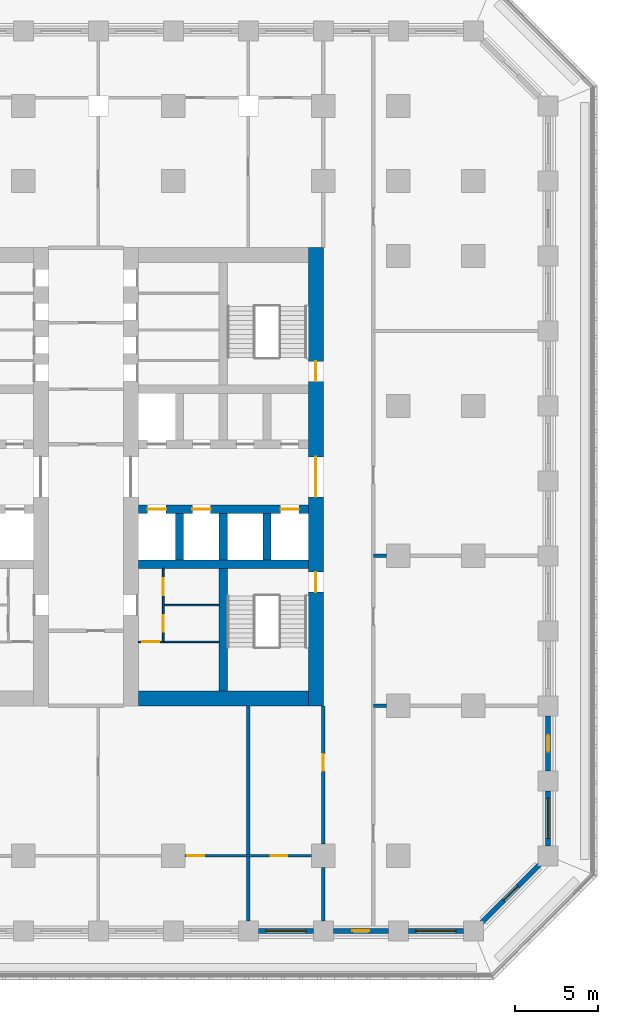
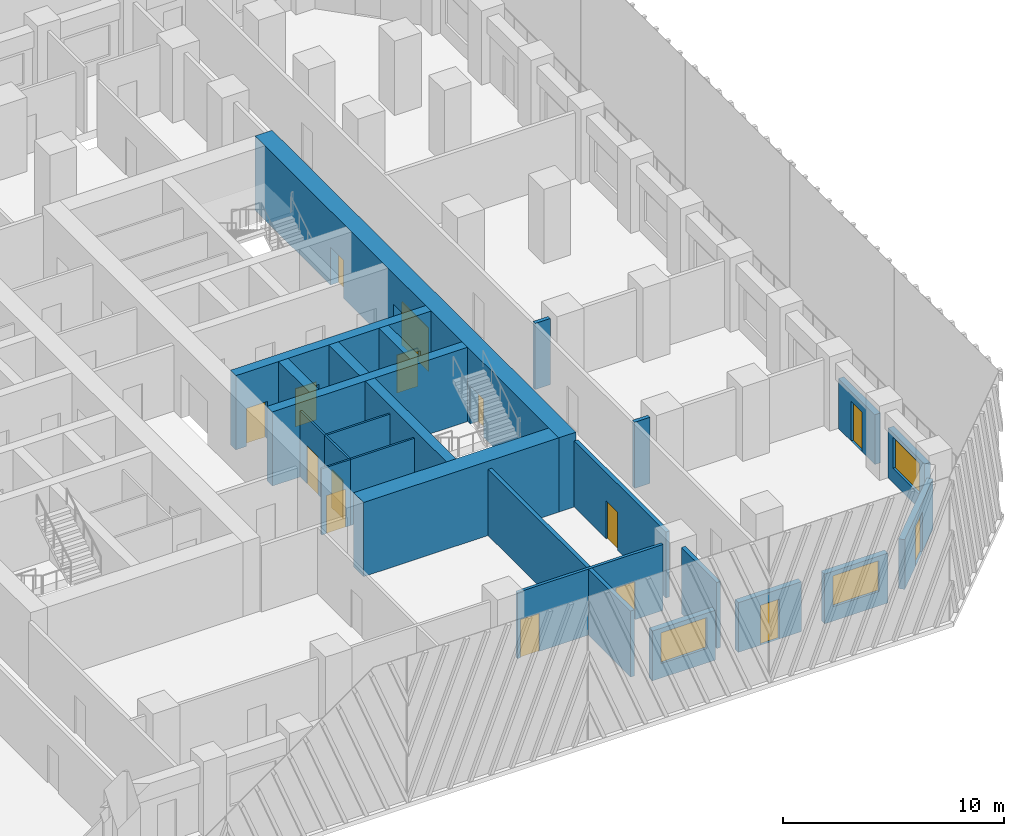
# One storey, part 5 of 19: 25 walls, 15 doors, 3 windows, 18 openings.
"""IFC4 building model written with IfcOpenShell, lengths in metres."""

from ifc_helpers import new_model, si_unit, direction, frame, frame_2d, origin, place, context, subcontext, project, spatial, rectangle, extrude, material, layer, layer_set, type_object, element, fill, save


model = new_model("IFC4")

# Units and contexts
model_context = context("Model", 3, precision=1e-05, world=origin(), true_north=direction((0.0, 1.0)))
body_context = subcontext(model_context, "Body", "Model", "MODEL_VIEW")
ifc_project = project(units=[si_unit("LENGTHUNIT", "METRE"), si_unit("AREAUNIT", "SQUARE_METRE"), si_unit("VOLUMEUNIT", "CUBIC_METRE"), si_unit("PLANEANGLEUNIT", "RADIAN"), si_unit("MASSUNIT", "GRAM", prefix="KILO")], contexts=[model_context])

# Site, building, storey
site_placement = place(None, origin())
site = spatial("IfcSite", under=ifc_project, at=site_placement, CompositionType="ELEMENT")
building_placement = place(site_placement, origin())
building = spatial("IfcBuilding", under=site, at=building_placement, Name="Corbel Stack Research Tower", CompositionType="ELEMENT")
storey_placement = place(building_placement, frame((0.0, 0.0, 82.0)))
storey = spatial("IfcBuildingStorey", under=building, at=storey_placement, Name="L18", CompositionType="ELEMENT", Elevation=82.0)

# Wall
ifc_material_1 = material(Name="Concrete C70/85", Category="concrete")
ifc_layer_1 = layer(ifc_material_1, 0.5)
ifc_layer_set_1 = layer_set([ifc_layer_1], Name="Concrete C70/85")
wall_type_1 = type_object("IfcWallType", Name="CW-500-70", PredefinedType="SHEAR", material=ifc_layer_set_1)
wall_1_placement = place(storey_placement, frame((6.89990234375, -0.5, 0.0), z_axis=(0.0, 0.0, 1.0), x_axis=(1.0, 0.0, 0.0)))
element("IfcWall", 1, at=wall_1_placement, inside=storey, type_object=wall_type_1, Name="East core wall, south row back L18", PredefinedType="SHEAR", context=body_context, shape_type="SweptSolid", body=[
    extrude(rectangle(XDim=10.2001953125, YDim=0.5, at=frame_2d((5.10009765625, 0.0))), origin(), (0.0, 0.0, 1.0), 4.10009765625),
])

# Wall, openings, doors
wall_2_placement = place(storey_placement, frame((6.89990234375, 2.800048828125, 0.0), z_axis=(0.0, 0.0, 1.0), x_axis=(1.0, 0.0, 0.0)))
wall_2 = element("IfcWall", 2, at=wall_2_placement, inside=storey, type_object=wall_type_1, Name="East core wall, lobby south L18", PredefinedType="SHEAR", context=body_context, shape_type="SweptSolid", body=[
    extrude(rectangle(XDim=10.2001953125, YDim=0.5, at=frame_2d((5.10009765625, 0.0))), origin(), (0.0, 0.0, 1.0), 4.10009765625),
])
opening_1_placement = place(wall_2_placement, frame((0.5625, 0.0, 0.0)))
opening_1 = element("IfcOpeningElement", 3, at=opening_1_placement, cuts=wall_2, Name="Opening LD-FS2", PredefinedType="OPENING", context=body_context, shape_type="SweptSolid", body=[
    extrude(rectangle(XDim=1.10009765625, YDim=2.10009765625, at=frame_2d((0.550048828125, 1.050048828125))), frame((0.0, 0.260009765625, 0.0), z_axis=(0.0, -1.0, 0.0), x_axis=(1.0, 0.0, 0.0)), (0.0, 0.0, 1.0), 0.52001953125),
])
opening_2_placement = place(wall_2_placement, frame((3.237548828125, 0.0, 0.0)))
opening_2 = element("IfcOpeningElement", 4, at=opening_2_placement, cuts=wall_2, Name="Opening LD-GL2", PredefinedType="OPENING", context=body_context, shape_type="SweptSolid", body=[
    extrude(rectangle(XDim=1.10009765625, YDim=2.10009765625, at=frame_2d((0.550048828125, 1.050048828125))), frame((0.0, 0.260009765625, 0.0), z_axis=(0.0, -1.0, 0.0), x_axis=(1.0, 0.0, 0.0)), (0.0, 0.0, 1.0), 0.52001953125),
])
opening_3_placement = place(wall_2_placement, frame((8.53759765625, 0.0, 0.0)))
opening_3 = element("IfcOpeningElement", 5, at=opening_3_placement, cuts=wall_2, Name="Opening LD-LR3", PredefinedType="OPENING", context=body_context, shape_type="SweptSolid", body=[
    extrude(rectangle(XDim=1.10009765625, YDim=2.10009765625, at=frame_2d((0.550048828125, 1.050048828125))), frame((0.0, 0.260009765625, 0.0), z_axis=(0.0, -1.0, 0.0), x_axis=(1.0, 0.0, 0.0)), (0.0, 0.0, 1.0), 0.52001953125),
])
ifc_material_2 = material(Name="Stainless steel landing door", Category="steel")
door_type_1 = type_object("IfcDoorType", Name="Lift landing door 1100 x 2100", OperationType="DOUBLE_DOOR_SLIDING", PredefinedType="DOOR", material=ifc_material_2)
door_1_placement = place(opening_1_placement, origin())
door_1 = element("IfcDoor", 6, at=door_1_placement, inside=storey, type_object=door_type_1, Name="Landing door FS2", OperationType="DOUBLE_DOOR_SLIDING", OverallHeight=2.10009765625, OverallWidth=1.10009765625, PredefinedType="DOOR", context=body_context, shape_type="SweptSolid", body=[
    extrude(rectangle(XDim=1.10009765625, YDim=2.10009765625, at=frame_2d((0.550048828125, 1.050048828125))), frame((0.0, 0.02490234375, 0.0), z_axis=(0.0, -1.0, 0.0), x_axis=(1.0, 0.0, 0.0)), (0.0, 0.0, 1.0), 0.050048828125),
])
fill(opening_1, door_1)
door_2_placement = place(opening_2_placement, origin())
door_2 = element("IfcDoor", 7, at=door_2_placement, inside=storey, type_object=door_type_1, Name="Landing door GL2", OperationType="DOUBLE_DOOR_SLIDING", OverallHeight=2.10009765625, OverallWidth=1.10009765625, PredefinedType="DOOR", context=body_context, shape_type="SweptSolid", body=[
    extrude(rectangle(XDim=1.10009765625, YDim=2.10009765625, at=frame_2d((0.550048828125, 1.050048828125))), frame((0.0, 0.02490234375, 0.0), z_axis=(0.0, -1.0, 0.0), x_axis=(1.0, 0.0, 0.0)), (0.0, 0.0, 1.0), 0.050048828125),
])
fill(opening_2, door_2)
door_3_placement = place(opening_3_placement, origin())
door_3 = element("IfcDoor", 8, at=door_3_placement, inside=storey, type_object=door_type_1, Name="Landing door LR3", OperationType="DOUBLE_DOOR_SLIDING", OverallHeight=2.10009765625, OverallWidth=1.10009765625, PredefinedType="DOOR", context=body_context, shape_type="SweptSolid", body=[
    extrude(rectangle(XDim=1.10009765625, YDim=2.10009765625, at=frame_2d((0.550048828125, 1.050048828125))), frame((0.0, 0.02490234375, 0.0), z_axis=(0.0, -1.0, 0.0), x_axis=(1.0, 0.0, 0.0)), (0.0, 0.0, 1.0), 0.050048828125),
])
fill(opening_3, door_3)

# Walls
for number, where, z_axis, x_axis, name in (
    (9, (9.375, -0.25, 0.0), (0.0, 0.0, 1.0), (0.0, 1.0, 0.0), "East core wall, south shaft 1 L18"),
    (10, (12.0, -0.25, 0.0), (0.0, 0.0, 1.0), (0.0, 1.0, 0.0), "East core wall, south shaft 2 L18"),
    (11, (14.625, -0.25, 0.0), (0.0, 0.0, 1.0), (0.0, 1.0, 0.0), "East core wall, south shaft 3 L18"),
):
    element("IfcWall", number, at=place(storey_placement, frame(where, z_axis=z_axis, x_axis=x_axis)), inside=storey, type_object=wall_type_1, Name=name, PredefinedType="SHEAR", context=body_context, shape_type="SweptSolid", body=[
        extrude(rectangle(XDim=2.800048828125, YDim=0.5, at=frame_2d((1.39990234375, 0.0))), origin(), (0.0, 0.0, 1.0), 4.10009765625),
    ])
wall_3_placement = place(storey_placement, frame((12.0, -8.10009765625, 0.0), z_axis=(0.0, 0.0, 1.0), x_axis=(0.0, 1.0, 0.0)))
element("IfcWall", 12, at=wall_3_placement, inside=storey, type_object=wall_type_1, Name="East core wall, south stair and WC L18", PredefinedType="SHEAR", context=body_context, shape_type="SweptSolid", body=[
    extrude(rectangle(XDim=7.35009765625, YDim=0.5, at=frame_2d((3.675048828125, 0.0))), origin(), (0.0, 0.0, 1.0), 4.10009765625),
])

# Wall, openings, doors
ifc_material_3 = material(Name="Concrete C70/85", Category="concrete")
ifc_layer_2 = layer(ifc_material_3, 0.89990234375)
ifc_layer_set_2 = layer_set([ifc_layer_2], Name="Concrete C70/85")
wall_type_2 = type_object("IfcWallType", Name="CW-900-70", PredefinedType="SHEAR", material=ifc_layer_set_2)
wall_4_placement = place(storey_placement, frame((17.550048828125, -9.0, 0.0), z_axis=(0.0, 0.0, 1.0), x_axis=(0.0, 1.0, 0.0)))
wall_4 = element("IfcWall", 13, at=wall_4_placement, inside=storey, type_object=wall_type_2, Name="East core wall, east face L18", PredefinedType="SHEAR", context=body_context, shape_type="SweptSolid", body=[
    extrude(rectangle(XDim=27.5, YDim=0.89990234375, at=frame_2d((13.75, 0.0))), origin(), (0.0, 0.0, 1.0), 4.10009765625),
])
opening_4_placement = place(wall_4_placement, frame((12.550048828125, 0.0, 0.0)))
opening_4 = element("IfcOpeningElement", 14, at=opening_4_placement, cuts=wall_4, Name="Opening CD-E-E", PredefinedType="OPENING", context=body_context, shape_type="SweptSolid", body=[
    extrude(rectangle(XDim=2.39990234375, YDim=2.39990234375, at=frame_2d((1.199951171875, 1.199951171875))), frame((0.0, 0.4599609375, 0.0), z_axis=(0.0, -1.0, 0.0), x_axis=(1.0, 0.0, 0.0)), (0.0, 0.0, 1.0), 0.919921875),
])
opening_5_placement = place(wall_4_placement, frame((6.824951171875, 0.0, 0.0)))
opening_5 = element("IfcOpeningElement", 15, at=opening_5_placement, cuts=wall_4, Name="Opening SD-ST-E1", PredefinedType="OPENING", context=body_context, shape_type="SweptSolid", body=[
    extrude(rectangle(XDim=1.199951171875, YDim=2.10009765625, at=frame_2d((0.60009765625, 1.050048828125))), frame((0.0, 0.4599609375, 0.0), z_axis=(0.0, -1.0, 0.0), x_axis=(1.0, 0.0, 0.0)), (0.0, 0.0, 1.0), 0.919921875),
])
opening_6_placement = place(wall_4_placement, frame((19.47509765625, 0.0, 0.0)))
opening_6 = element("IfcOpeningElement", 16, at=opening_6_placement, cuts=wall_4, Name="Opening SD-ST-E2", PredefinedType="OPENING", context=body_context, shape_type="SweptSolid", body=[
    extrude(rectangle(XDim=1.199951171875, YDim=2.10009765625, at=frame_2d((0.60009765625, 1.050048828125))), frame((0.0, 0.4599609375, 0.0), z_axis=(0.0, -1.0, 0.0), x_axis=(1.0, 0.0, 0.0)), (0.0, 0.0, 1.0), 0.919921875),
])
ifc_material_4 = material(Name="Painted steel fire door", Category="steel")
door_type_2 = type_object("IfcDoorType", Name="Lobby door pair 2400 x 2400 FD30S", OperationType="DOUBLE_DOOR_DOUBLE_SWING", PredefinedType="DOOR", material=ifc_material_4)
door_4_placement = place(opening_4_placement, origin())
door_4 = element("IfcDoor", 17, at=door_4_placement, inside=storey, type_object=door_type_2, Name="Lift lobby door E core E", OperationType="DOUBLE_DOOR_DOUBLE_SWING", OverallHeight=2.39990234375, OverallWidth=2.39990234375, PredefinedType="DOOR", context=body_context, shape_type="SweptSolid", body=[
    extrude(rectangle(XDim=2.39990234375, YDim=2.39990234375, at=frame_2d((1.199951171875, 1.199951171875))), frame((0.0, 0.02490234375, 0.0), z_axis=(0.0, -1.0, 0.0), x_axis=(1.0, 0.0, 0.0)), (0.0, 0.0, 1.0), 0.050048828125),
])
fill(opening_4, door_4)
ifc_material_5 = material(Name="Painted steel fire door", Category="steel")
door_type_3 = type_object("IfcDoorType", Name="Stair door 1200 x 2100 FD90 right hand", OperationType="SINGLE_SWING_RIGHT", PredefinedType="DOOR", material=ifc_material_5)
door_5_placement = place(opening_5_placement, frame((1.199951171875, 0.0, 0.0), z_axis=(0.0, 0.0, 1.0), x_axis=(-1.0, 0.0, 0.0)))
door_5 = element("IfcDoor", 18, at=door_5_placement, inside=storey, type_object=door_type_3, Name="Stair door ST-E1", OperationType="SINGLE_SWING_LEFT", OverallHeight=2.10009765625, OverallWidth=1.199951171875, PredefinedType="DOOR", context=body_context, shape_type="SweptSolid", body=[
    extrude(rectangle(XDim=1.199951171875, YDim=2.10009765625, at=frame_2d((0.60009765625, 1.050048828125))), frame((0.0, 0.02490234375, 0.0), z_axis=(0.0, -1.0, 0.0), x_axis=(1.0, 0.0, 0.0)), (0.0, 0.0, 1.0), 0.050048828125),
])
fill(opening_5, door_5)
door_6_placement = place(opening_6_placement, frame((1.199951171875, 0.0, 0.0), z_axis=(0.0, 0.0, 1.0), x_axis=(-1.0, 0.0, 0.0)))
door_6 = element("IfcDoor", 19, at=door_6_placement, inside=storey, type_object=door_type_3, Name="Stair door ST-E2", OperationType="SINGLE_SWING_LEFT", OverallHeight=2.10009765625, OverallWidth=1.199951171875, PredefinedType="DOOR", context=body_context, shape_type="SweptSolid", body=[
    extrude(rectangle(XDim=1.199951171875, YDim=2.10009765625, at=frame_2d((0.60009765625, 1.050048828125))), frame((0.0, 0.02490234375, 0.0), z_axis=(0.0, -1.0, 0.0), x_axis=(1.0, 0.0, 0.0)), (0.0, 0.0, 1.0), 0.050048828125),
])
fill(opening_6, door_6)

# Wall
wall_5_placement = place(storey_placement, frame((6.89990234375, -8.550048828125, 0.0), z_axis=(0.0, 0.0, 1.0), x_axis=(1.0, 0.0, 0.0)))
element("IfcWall", 20, at=wall_5_placement, inside=storey, type_object=wall_type_2, Name="East core wall, south end L18", PredefinedType="SHEAR", context=body_context, shape_type="SweptSolid", body=[
    extrude(rectangle(XDim=10.2001953125, YDim=0.89990234375, at=frame_2d((5.10009765625, 0.0))), origin(), (0.0, 0.0, 1.0), 4.10009765625),
])

# Wall, opening, door
ifc_material_6 = material(Name="Gypsum board")
ifc_layer_3 = layer(ifc_material_6, 0.10009765625)
ifc_layer_set_3 = layer_set([ifc_layer_3], Name="Gypsum board")
wall_type_3 = type_object("IfcWallType", Name="Core partition 100", PredefinedType="PARTITIONING", material=ifc_layer_set_3)
wall_6_placement = place(storey_placement, frame((6.89990234375, -5.159912109375, 0.0), z_axis=(0.0, 0.0, 1.0), x_axis=(1.0, 0.0, 0.0)))
wall_6 = element("IfcWall", 21, at=wall_6_placement, inside=storey, type_object=wall_type_3, Name="Core partition E", PredefinedType="PARTITIONING", context=body_context, shape_type="SweptSolid", body=[
    extrude(rectangle(XDim=1.5, YDim=0.10009765625, at=frame_2d((0.75, 0.0))), origin(), (0.0, 0.0, 1.0), 3.64990234375),
])
opening_7_placement = place(wall_6_placement, frame((0.25, 0.0, 0.0)))
opening_7 = element("IfcOpeningElement", 22, at=opening_7_placement, cuts=wall_6, Name="Opening CR-E66-W2-1000", PredefinedType="OPENING", context=body_context, shape_type="SweptSolid", body=[
    extrude(rectangle(XDim=1.0, YDim=2.10009765625, at=frame_2d((0.5, 1.050048828125))), frame((0.0, 0.06005859375, 0.0), z_axis=(0.0, -1.0, 0.0), x_axis=(1.0, 0.0, 0.0)), (0.0, 0.0, 1.0), 0.1201171875),
])
ifc_material_7 = material(Name="Painted timber door", Category="wood")
door_type_4 = type_object("IfcDoorType", Name="WC door 1000 x 2100 left hand", OperationType="SINGLE_SWING_LEFT", PredefinedType="DOOR", material=ifc_material_7)
door_7_placement = place(opening_7_placement, origin())
door_7 = element("IfcDoor", 23, at=door_7_placement, inside=storey, type_object=door_type_4, Name="Accessible WC door E core", OperationType="SINGLE_SWING_LEFT", OverallHeight=2.10009765625, OverallWidth=1.0, PredefinedType="DOOR", context=body_context, shape_type="SweptSolid", body=[
    extrude(rectangle(XDim=1.0, YDim=2.10009765625, at=frame_2d((0.5, 1.050048828125))), frame((0.0, 0.02490234375, 0.0), z_axis=(0.0, -1.0, 0.0), x_axis=(1.0, 0.0, 0.0)), (0.0, 0.0, 1.0), 0.050048828125),
])
fill(opening_7, door_7)

wall_7_placement = place(storey_placement, frame((8.39990234375, -5.159912109375, 0.0), z_axis=(0.0, 0.0, 1.0), x_axis=(0.0, 1.0, 0.0)))
wall_7 = element("IfcWall", 24, at=wall_7_placement, inside=storey, type_object=wall_type_3, Name="Core partition E", PredefinedType="PARTITIONING", context=body_context, shape_type="SweptSolid", body=[
    extrude(rectangle(XDim=2.204833984375, YDim=0.10009765625, at=frame_2d((1.1025390625, 0.0))), origin(), (0.0, 0.0, 1.0), 3.64990234375),
])
opening_8_placement = place(wall_7_placement, frame((0.6025390625, 0.0, 0.0)))
opening_8 = element("IfcOpeningElement", 25, at=opening_8_placement, cuts=wall_7, Name="Opening CR-E66-W3-1000", PredefinedType="OPENING", context=body_context, shape_type="SweptSolid", body=[
    extrude(rectangle(XDim=1.0, YDim=2.10009765625, at=frame_2d((0.5, 1.050048828125))), frame((0.0, 0.06005859375, 0.0), z_axis=(0.0, -1.0, 0.0), x_axis=(1.0, 0.0, 0.0)), (0.0, 0.0, 1.0), 0.1201171875),
])
ifc_material_8 = material(Name="Painted timber door", Category="wood")
door_type_5 = type_object("IfcDoorType", Name="WC door 1000 x 2100 right hand", OperationType="SINGLE_SWING_RIGHT", PredefinedType="DOOR", material=ifc_material_8)
door_8_placement = place(opening_8_placement, origin())
door_8 = element("IfcDoor", 26, at=door_8_placement, inside=storey, type_object=door_type_5, Name="Men's WC door E core", OperationType="SINGLE_SWING_RIGHT", OverallHeight=2.10009765625, OverallWidth=1.0, PredefinedType="DOOR", context=body_context, shape_type="SweptSolid", body=[
    extrude(rectangle(XDim=1.0, YDim=2.10009765625, at=frame_2d((0.5, 1.050048828125))), frame((0.0, 0.02490234375, 0.0), z_axis=(0.0, -1.0, 0.0), x_axis=(1.0, 0.0, 0.0)), (0.0, 0.0, 1.0), 0.050048828125),
])
fill(opening_8, door_8)

wall_8_placement = place(storey_placement, frame((8.39990234375, -2.955078125, 0.0), z_axis=(0.0, 0.0, 1.0), x_axis=(0.0, 1.0, 0.0)))
wall_8 = element("IfcWall", 27, at=wall_8_placement, inside=storey, type_object=wall_type_3, Name="Core partition E", PredefinedType="PARTITIONING", context=body_context, shape_type="SweptSolid", body=[
    extrude(rectangle(XDim=2.205078125, YDim=0.10009765625, at=frame_2d((1.1025390625, 0.0))), origin(), (0.0, 0.0, 1.0), 3.64990234375),
])
opening_9_placement = place(wall_8_placement, frame((0.6025390625, 0.0, 0.0)))
opening_9 = element("IfcOpeningElement", 28, at=opening_9_placement, cuts=wall_8, Name="Opening CR-E66-W4-1000", PredefinedType="OPENING", context=body_context, shape_type="SweptSolid", body=[
    extrude(rectangle(XDim=1.0, YDim=2.10009765625, at=frame_2d((0.5, 1.050048828125))), frame((0.0, 0.06005859375, 0.0), z_axis=(0.0, -1.0, 0.0), x_axis=(1.0, 0.0, 0.0)), (0.0, 0.0, 1.0), 0.1201171875),
])
door_9_placement = place(opening_9_placement, origin())
door_9 = element("IfcDoor", 29, at=door_9_placement, inside=storey, type_object=door_type_4, Name="Women's WC door E core", OperationType="SINGLE_SWING_LEFT", OverallHeight=2.10009765625, OverallWidth=1.0, PredefinedType="DOOR", context=body_context, shape_type="SweptSolid", body=[
    extrude(rectangle(XDim=1.0, YDim=2.10009765625, at=frame_2d((0.5, 1.050048828125))), frame((0.0, 0.02490234375, 0.0), z_axis=(0.0, -1.0, 0.0), x_axis=(1.0, 0.0, 0.0)), (0.0, 0.0, 1.0), 0.050048828125),
])
fill(opening_9, door_9)

# Walls
for number, where, z_axis, x_axis, name in (
    (30, (8.39990234375, -5.159912109375, 0.0), (0.0, 0.0, 1.0), (1.0, 0.0, 0.0), "Core partition E"),
    (31, (8.39990234375, -2.955078125, 0.0), (0.0, 0.0, 1.0), (1.0, 0.0, 0.0), "Core partition E"),
):
    element("IfcWall", number, at=place(storey_placement, frame(where, z_axis=z_axis, x_axis=x_axis)), inside=storey, type_object=wall_type_3, Name=name, PredefinedType="PARTITIONING", context=body_context, shape_type="SweptSolid", body=[
        extrude(rectangle(XDim=3.35009765625, YDim=0.10009765625, at=frame_2d((1.675048828125, 0.0))), origin(), (0.0, 0.0, 1.0), 3.64990234375),
    ])
ifc_material_9 = material(Name="Fire-rated gypsum board partition on steel studs", Category="steel")
ifc_layer_4 = layer(ifc_material_9, 0.199951171875)
ifc_layer_set_4 = layer_set([ifc_layer_4], Name="Fire-rated gypsum board partition on steel studs")
wall_type_4 = type_object("IfcWallType", Name="Fire-rated partition 200 EI 60", PredefinedType="PARTITIONING", material=ifc_layer_set_4)
wall_9_placement = place(storey_placement, frame((13.5, -21.89990234375, 0.0), z_axis=(0.0, 0.0, 1.0), x_axis=(0.0, 1.0, 0.0)))
element("IfcWall", 32, at=wall_9_placement, inside=storey, type_object=wall_type_4, Name="Partition L18-010", PredefinedType="PARTITIONING", context=body_context, shape_type="SweptSolid", body=[
    extrude(rectangle(XDim=12.89990234375, YDim=0.199951171875, at=frame_2d((6.449951171875, 0.0))), origin(), (0.0, 0.0, 1.0), 3.64990234375),
])
wall_10_placement = place(storey_placement, frame((18.0, -21.89990234375, 0.0), z_axis=(0.0, 0.0, 1.0), x_axis=(0.0, 1.0, 0.0)))
element("IfcWall", 33, at=wall_10_placement, inside=storey, type_object=wall_type_4, Name="Partition L18-011", PredefinedType="PARTITIONING", context=body_context, shape_type="SweptSolid", body=[
    extrude(rectangle(XDim=3.199951171875, YDim=0.199951171875, at=frame_2d((1.60009765625, 0.0))), origin(), (0.0, 0.0, 1.0), 3.64990234375),
])

# Wall, opening, door
wall_11_placement = place(storey_placement, frame((18.0, -17.300048828125, 0.0), z_axis=(0.0, 0.0, 1.0), x_axis=(0.0, 1.0, 0.0)))
wall_11 = element("IfcWall", 34, at=wall_11_placement, inside=storey, type_object=wall_type_4, Name="Partition L18-012", PredefinedType="PARTITIONING", context=body_context, shape_type="SweptSolid", body=[
    extrude(rectangle(XDim=8.300048828125, YDim=0.199951171875, at=frame_2d((4.14990234375, 0.0))), origin(), (0.0, 0.0, 1.0), 3.64990234375),
])
opening_10_placement = place(wall_11_placement, frame((4.39990234375, 0.0, 0.0)))
opening_10 = element("IfcOpeningElement", 35, at=opening_10_placement, cuts=wall_11, Name="Opening B3V0H-017", PredefinedType="OPENING", context=body_context, shape_type="SweptSolid", body=[
    extrude(rectangle(XDim=1.0, YDim=2.10009765625, at=frame_2d((0.5, 1.050048828125))), frame((0.0, 0.10986328125, 0.0), z_axis=(0.0, -1.0, 0.0), x_axis=(1.0, 0.0, 0.0)), (0.0, 0.0, 1.0), 0.219970703125),
])
ifc_material_10 = material(Name="Painted steel fire door", Category="steel")
door_type_6 = type_object("IfcDoorType", Name="Fire door FD30S 1000 x 2100", OperationType="NOTDEFINED", PredefinedType="DOOR", material=ifc_material_10)
door_10_placement = place(opening_10_placement, origin())
door_10 = element("IfcDoor", 36, at=door_10_placement, inside=storey, type_object=door_type_6, Name="Door B3V0H-017", OperationType="SINGLE_SWING_RIGHT", OverallHeight=2.10009765625, OverallWidth=1.0, PredefinedType="DOOR", context=body_context, shape_type="SweptSolid", body=[
    extrude(rectangle(XDim=1.0, YDim=2.10009765625, at=frame_2d((0.5, 1.050048828125))), frame((0.0, 0.02490234375, 0.0), z_axis=(0.0, -1.0, 0.0), x_axis=(1.0, 0.0, 0.0)), (0.0, 0.0, 1.0), 0.050048828125),
])
fill(opening_10, door_10)

# Walls
for number, where, z_axis, x_axis, name in (
    (37, (21.0, -9.0, 0.0), (0.0, 0.0, 1.0), (1.0, 0.0, 0.0), "Partition L18-024"),
    (38, (21.0, 0.0, 0.0), (0.0, 0.0, 1.0), (1.0, 0.0, 0.0), "Partition L18-030"),
):
    element("IfcWall", number, at=place(storey_placement, frame(where, z_axis=z_axis, x_axis=x_axis)), inside=storey, type_object=wall_type_4, Name=name, PredefinedType="PARTITIONING", context=body_context, shape_type="SweptSolid", body=[
        extrude(rectangle(XDim=0.800048828125, YDim=0.199951171875, at=frame_2d((0.39990234375, 0.0))), origin(), (0.0, 0.0, 1.0), 3.64990234375),
    ])

# Wall, openings, doors
ifc_material_11 = material(Name="Gypsum board partition on steel studs", Category="steel")
ifc_layer_5 = layer(ifc_material_11, 0.14990234375)
ifc_layer_set_5 = layer_set([ifc_layer_5], Name="Gypsum board partition on steel studs")
wall_type_5 = type_object("IfcWallType", Name="Partition 150", PredefinedType="PARTITIONING", material=ifc_layer_set_5)
wall_12_placement = place(storey_placement, frame((17.300048828125, -18.0, 0.0), z_axis=(0.0, 0.0, 1.0), x_axis=(-1.0, 0.0, 0.0)))
wall_12 = element("IfcWall", 39, at=wall_12_placement, inside=storey, type_object=wall_type_5, Name="Partition L18-020", PredefinedType="PARTITIONING", context=body_context, shape_type="SweptSolid", body=[
    extrude(rectangle(XDim=7.60009765625, YDim=0.14990234375, at=frame_2d((3.800048828125, 0.0))), origin(), (0.0, 0.0, 1.0), 3.64990234375),
])
opening_11_placement = place(wall_12_placement, frame((6.449951171875, 0.0, 0.0)))
opening_11 = element("IfcOpeningElement", 40, at=opening_11_placement, cuts=wall_12, Name="Opening B3V0H-002", PredefinedType="OPENING", context=body_context, shape_type="SweptSolid", body=[
    extrude(rectangle(XDim=1.0, YDim=2.10009765625, at=frame_2d((0.5, 1.050048828125))), frame((0.0, 0.0849609375, 0.0), z_axis=(0.0, -1.0, 0.0), x_axis=(1.0, 0.0, 0.0)), (0.0, 0.0, 1.0), 0.169921875),
])
opening_12_placement = place(wall_12_placement, frame((1.449951171875, 0.0, 0.0)))
opening_12 = element("IfcOpeningElement", 41, at=opening_12_placement, cuts=wall_12, Name="Opening B3V0H-003", PredefinedType="OPENING", context=body_context, shape_type="SweptSolid", body=[
    extrude(rectangle(XDim=1.0, YDim=2.10009765625, at=frame_2d((0.5, 1.050048828125))), frame((0.0, 0.0849609375, 0.0), z_axis=(0.0, -1.0, 0.0), x_axis=(1.0, 0.0, 0.0)), (0.0, 0.0, 1.0), 0.169921875),
])
ifc_material_12 = material(Name="Painted timber door", Category="wood")
door_type_7 = type_object("IfcDoorType", Name="Single door 1000 x 2100", OperationType="NOTDEFINED", PredefinedType="DOOR", material=ifc_material_12)
door_11_placement = place(opening_11_placement, origin())
door_11 = element("IfcDoor", 42, at=door_11_placement, inside=storey, type_object=door_type_7, Name="Door B3V0H-002", OperationType="SINGLE_SWING_RIGHT", OverallHeight=2.10009765625, OverallWidth=1.0, PredefinedType="DOOR", context=body_context, shape_type="SweptSolid", body=[
    extrude(rectangle(XDim=1.0, YDim=2.10009765625, at=frame_2d((0.5, 1.050048828125))), frame((0.0, 0.02490234375, 0.0), z_axis=(0.0, -1.0, 0.0), x_axis=(1.0, 0.0, 0.0)), (0.0, 0.0, 1.0), 0.050048828125),
])
fill(opening_11, door_11)
door_12_placement = place(opening_12_placement, origin())
door_12 = element("IfcDoor", 43, at=door_12_placement, inside=storey, type_object=door_type_7, Name="Door B3V0H-003", OperationType="SINGLE_SWING_LEFT", OverallHeight=2.10009765625, OverallWidth=1.0, PredefinedType="DOOR", context=body_context, shape_type="SweptSolid", body=[
    extrude(rectangle(XDim=1.0, YDim=2.10009765625, at=frame_2d((0.5, 1.050048828125))), frame((0.0, 0.02490234375, 0.0), z_axis=(0.0, -1.0, 0.0), x_axis=(1.0, 0.0, 0.0)), (0.0, 0.0, 1.0), 0.050048828125),
])
fill(opening_12, door_12)

# Wall, opening, window
ifc_material_13 = material(Name="Concrete C45/55", Category="concrete")
ifc_layer_6 = layer(ifc_material_13, 0.300048828125)
ifc_layer_set_6 = layer_set([ifc_layer_6], Name="Concrete C45/55")
wall_type_6 = type_object("IfcWallType", Name="Terracotta-faced concrete wall 300", PredefinedType="SOLIDWALL", material=ifc_layer_set_6)
wall_13_placement = place(storey_placement, frame((17.39990234375, -22.5, 0.0), z_axis=(0.0, 0.0, 1.0), x_axis=(-1.0, 0.0, 0.0)))
wall_13 = element("IfcWall", 44, at=wall_13_placement, inside=storey, type_object=wall_type_6, Name="Facade wall L18 S08", PredefinedType="SOLIDWALL", context=body_context, shape_type="SweptSolid", body=[
    extrude(rectangle(XDim=3.2998046875, YDim=0.300048828125, at=frame_2d((1.64990234375, 0.0))), origin(), (0.0, 0.0, 1.0), 2.75),
])
opening_13_placement = place(wall_13_placement, frame((0.449951171875, 0.0, 0.800048828125)))
opening_13 = element("IfcOpeningElement", 45, at=opening_13_placement, cuts=wall_13, Name="Opening W1", PredefinedType="OPENING", context=body_context, shape_type="SweptSolid", body=[
    extrude(rectangle(XDim=2.39990234375, YDim=1.699951171875, at=frame_2d((1.199951171875, 0.85009765625))), frame((0.0, 0.159912109375, 0.0), z_axis=(0.0, -1.0, 0.0), x_axis=(1.0, 0.0, 0.0)), (0.0, 0.0, 1.0), 0.320068359375),
])
ifc_material_14 = material(Name="Aluminium frame, clear double glazing", Category="aluminium")
window_type = type_object("IfcWindowType", Name="Window W1 2400 x 1700", PartitioningType="SINGLE_PANEL", PredefinedType="WINDOW", material=ifc_material_14)
window_1_placement = place(opening_13_placement, origin())
window_1 = element("IfcWindow", 46, at=window_1_placement, inside=storey, type_object=window_type, Name="Window W1 L18 S08", OverallHeight=1.699951171875, OverallWidth=2.39990234375, PartitioningType="SINGLE_PANEL", PredefinedType="WINDOW", context=body_context, shape_type="SweptSolid", body=[
    extrude(rectangle(XDim=2.39990234375, YDim=1.699951171875, at=frame_2d((1.199951171875, 0.85009765625))), frame((0.0, 0.030029296875, 0.0), z_axis=(0.0, -1.0, 0.0), x_axis=(1.0, 0.0, 0.0)), (0.0, 0.0, 1.0), 0.06005859375),
])
fill(opening_13, window_1)

# Wall, opening, door
wall_14_placement = place(storey_placement, frame((21.89990234375, -22.5, 0.0), z_axis=(0.0, 0.0, 1.0), x_axis=(-1.0, 0.0, 0.0)))
wall_14 = element("IfcWall", 47, at=wall_14_placement, inside=storey, type_object=wall_type_6, Name="Facade wall L18 S09", PredefinedType="SOLIDWALL", context=body_context, shape_type="SweptSolid", body=[
    extrude(rectangle(XDim=3.2998046875, YDim=0.300048828125, at=frame_2d((1.64990234375, 0.0))), origin(), (0.0, 0.0, 1.0), 2.75),
])
opening_14_placement = place(wall_14_placement, frame((1.14990234375, 0.0, 0.0)))
opening_14 = element("IfcOpeningElement", 48, at=opening_14_placement, cuts=wall_14, Name="Opening L18-B02", PredefinedType="OPENING", context=body_context, shape_type="SweptSolid", body=[
    extrude(rectangle(XDim=1.0, YDim=2.199951171875, at=frame_2d((0.5, 1.10009765625))), frame((0.0, 0.159912109375, 0.0), z_axis=(0.0, -1.0, 0.0), x_axis=(1.0, 0.0, 0.0)), (0.0, 0.0, 1.0), 0.320068359375),
])
ifc_material_15 = material(Name="Aluminium frame, clear double glazing", Category="aluminium")
door_type_8 = type_object("IfcDoorType", Name="Balcony door BD1 1000 x 2200", OperationType="NOTDEFINED", PredefinedType="DOOR", material=ifc_material_15)
door_13_placement = place(opening_14_placement, origin())
door_13 = element("IfcDoor", 49, at=door_13_placement, inside=storey, type_object=door_type_8, Name="Balcony door L18-B02", OperationType="SINGLE_SWING_LEFT", OverallHeight=2.199951171875, OverallWidth=1.0, PredefinedType="DOOR", context=body_context, shape_type="SweptSolid", body=[
    extrude(rectangle(XDim=1.0, YDim=2.199951171875, at=frame_2d((0.5, 1.10009765625))), frame((0.0, 0.02490234375, 0.0), z_axis=(0.0, -1.0, 0.0), x_axis=(1.0, 0.0, 0.0)), (0.0, 0.0, 1.0), 0.050048828125),
])
fill(opening_14, door_13)

# Wall, opening, window
wall_15_placement = place(storey_placement, frame((26.39990234375, -22.5, 0.0), z_axis=(0.0, 0.0, 1.0), x_axis=(-1.0, 0.0, 0.0)))
wall_15 = element("IfcWall", 50, at=wall_15_placement, inside=storey, type_object=wall_type_6, Name="Facade wall L18 S10", PredefinedType="SOLIDWALL", context=body_context, shape_type="SweptSolid", body=[
    extrude(rectangle(XDim=3.2998046875, YDim=0.300048828125, at=frame_2d((1.64990234375, 0.0))), origin(), (0.0, 0.0, 1.0), 2.75),
])
opening_15_placement = place(wall_15_placement, frame((0.449951171875, 0.0, 0.800048828125)))
opening_15 = element("IfcOpeningElement", 51, at=opening_15_placement, cuts=wall_15, Name="Opening W1", PredefinedType="OPENING", context=body_context, shape_type="SweptSolid", body=[
    extrude(rectangle(XDim=2.39990234375, YDim=1.699951171875, at=frame_2d((1.199951171875, 0.85009765625))), frame((0.0, 0.159912109375, 0.0), z_axis=(0.0, -1.0, 0.0), x_axis=(1.0, 0.0, 0.0)), (0.0, 0.0, 1.0), 0.320068359375),
])
window_2_placement = place(opening_15_placement, origin())
window_2 = element("IfcWindow", 52, at=window_2_placement, inside=storey, type_object=window_type, Name="Window W1 L18 S10", OverallHeight=1.699951171875, OverallWidth=2.39990234375, PartitioningType="SINGLE_PANEL", PredefinedType="WINDOW", context=body_context, shape_type="SweptSolid", body=[
    extrude(rectangle(XDim=2.39990234375, YDim=1.699951171875, at=frame_2d((1.199951171875, 0.85009765625))), frame((0.0, 0.030029296875, 0.0), z_axis=(0.0, -1.0, 0.0), x_axis=(1.0, 0.0, 0.0)), (0.0, 0.0, 1.0), 0.06005859375),
])
fill(opening_15, window_2)

# Wall, opening, door
wall_16_placement = place(storey_placement, frame((31.006103515625, -18.493896484375, 0.0), z_axis=(0.0, 0.0, 1.0), x_axis=(-0.707106781187, -0.707106781187, 0.0)))
wall_16 = element("IfcWall", 53, at=wall_16_placement, inside=storey, type_object=wall_type_6, Name="Facade wall L18 SE01", PredefinedType="SOLIDWALL", context=body_context, shape_type="SweptSolid", body=[
    extrude(rectangle(XDim=4.967041015625, YDim=0.300048828125, at=frame_2d((2.4833984375, 0.0))), origin(), (0.0, 0.0, 1.0), 2.75),
])
opening_16_placement = place(wall_16_placement, frame((1.883544921875, 0.0, 0.0)))
opening_16 = element("IfcOpeningElement", 54, at=opening_16_placement, cuts=wall_16, Name="Opening L18-B03", PredefinedType="OPENING", context=body_context, shape_type="SweptSolid", body=[
    extrude(rectangle(XDim=1.199951171875, YDim=2.199951171875, at=frame_2d((0.60009765625, 1.10009765625))), frame((0.0, 0.159912109375, 0.0), z_axis=(0.0, -1.0, 0.0), x_axis=(1.0, 0.0, 0.0)), (0.0, 0.0, 1.0), 0.320068359375),
])
ifc_material_16 = material(Name="Aluminium frame, clear double glazing", Category="aluminium")
door_type_9 = type_object("IfcDoorType", Name="Balcony door BD2 1200 x 2200", OperationType="NOTDEFINED", PredefinedType="DOOR", material=ifc_material_16)
door_14_placement = place(opening_16_placement, origin())
door_14 = element("IfcDoor", 55, at=door_14_placement, inside=storey, type_object=door_type_9, Name="Balcony door L18-B03", OperationType="SINGLE_SWING_LEFT", OverallHeight=2.199951171875, OverallWidth=1.199951171875, PredefinedType="DOOR", context=body_context, shape_type="SweptSolid", body=[
    extrude(rectangle(XDim=1.199951171875, YDim=2.199951171875, at=frame_2d((0.60009765625, 1.10009765625))), frame((0.0, 0.02490234375, 0.0), z_axis=(0.0, -1.0, 0.0), x_axis=(1.0, 0.0, 0.0)), (0.0, 0.0, 1.0), 0.050048828125),
])
fill(opening_16, door_14)

# Wall, opening, window
wall_17_placement = place(storey_placement, frame((31.5, -14.10009765625, 0.0), z_axis=(0.0, 0.0, 1.0), x_axis=(0.0, -1.0, 0.0)))
wall_17 = element("IfcWall", 56, at=wall_17_placement, inside=storey, type_object=wall_type_6, Name="Facade wall L18 E01", PredefinedType="SOLIDWALL", context=body_context, shape_type="SweptSolid", body=[
    extrude(rectangle(XDim=3.2998046875, YDim=0.300048828125, at=frame_2d((1.64990234375, 0.0))), origin(), (0.0, 0.0, 1.0), 2.75),
])
opening_17_placement = place(wall_17_placement, frame((0.449951171875, 0.0, 0.800048828125)))
opening_17 = element("IfcOpeningElement", 57, at=opening_17_placement, cuts=wall_17, Name="Opening W1", PredefinedType="OPENING", context=body_context, shape_type="SweptSolid", body=[
    extrude(rectangle(XDim=2.39990234375, YDim=1.699951171875, at=frame_2d((1.199951171875, 0.85009765625))), frame((0.0, 0.159912109375, 0.0), z_axis=(0.0, -1.0, 0.0), x_axis=(1.0, 0.0, 0.0)), (0.0, 0.0, 1.0), 0.320068359375),
])
window_3_placement = place(opening_17_placement, origin())
window_3 = element("IfcWindow", 58, at=window_3_placement, inside=storey, type_object=window_type, Name="Window W1 L18 E01", OverallHeight=1.699951171875, OverallWidth=2.39990234375, PartitioningType="SINGLE_PANEL", PredefinedType="WINDOW", context=body_context, shape_type="SweptSolid", body=[
    extrude(rectangle(XDim=2.39990234375, YDim=1.699951171875, at=frame_2d((1.199951171875, 0.85009765625))), frame((0.0, 0.030029296875, 0.0), z_axis=(0.0, -1.0, 0.0), x_axis=(1.0, 0.0, 0.0)), (0.0, 0.0, 1.0), 0.06005859375),
])
fill(opening_17, window_3)

# Wall, opening, door
wall_18_placement = place(storey_placement, frame((31.5, -9.60009765625, 0.0), z_axis=(0.0, 0.0, 1.0), x_axis=(0.0, -1.0, 0.0)))
wall_18 = element("IfcWall", 59, at=wall_18_placement, inside=storey, type_object=wall_type_6, Name="Facade wall L18 E02", PredefinedType="SOLIDWALL", context=body_context, shape_type="SweptSolid", body=[
    extrude(rectangle(XDim=3.2998046875, YDim=0.300048828125, at=frame_2d((1.64990234375, 0.0))), origin(), (0.0, 0.0, 1.0), 2.75),
])
opening_18_placement = place(wall_18_placement, frame((1.14990234375, 0.0, 0.0)))
opening_18 = element("IfcOpeningElement", 60, at=opening_18_placement, cuts=wall_18, Name="Opening L18-B04", PredefinedType="OPENING", context=body_context, shape_type="SweptSolid", body=[
    extrude(rectangle(XDim=1.0, YDim=2.199951171875, at=frame_2d((0.5, 1.10009765625))), frame((0.0, 0.159912109375, 0.0), z_axis=(0.0, -1.0, 0.0), x_axis=(1.0, 0.0, 0.0)), (0.0, 0.0, 1.0), 0.320068359375),
])
door_15_placement = place(opening_18_placement, origin())
door_15 = element("IfcDoor", 61, at=door_15_placement, inside=storey, type_object=door_type_8, Name="Balcony door L18-B04", OperationType="SINGLE_SWING_RIGHT", OverallHeight=2.199951171875, OverallWidth=1.0, PredefinedType="DOOR", context=body_context, shape_type="SweptSolid", body=[
    extrude(rectangle(XDim=1.0, YDim=2.199951171875, at=frame_2d((0.5, 1.10009765625))), frame((0.0, 0.02490234375, 0.0), z_axis=(0.0, -1.0, 0.0), x_axis=(1.0, 0.0, 0.0)), (0.0, 0.0, 1.0), 0.050048828125),
])
fill(opening_18, door_15)

save(model, "model.ifc")
